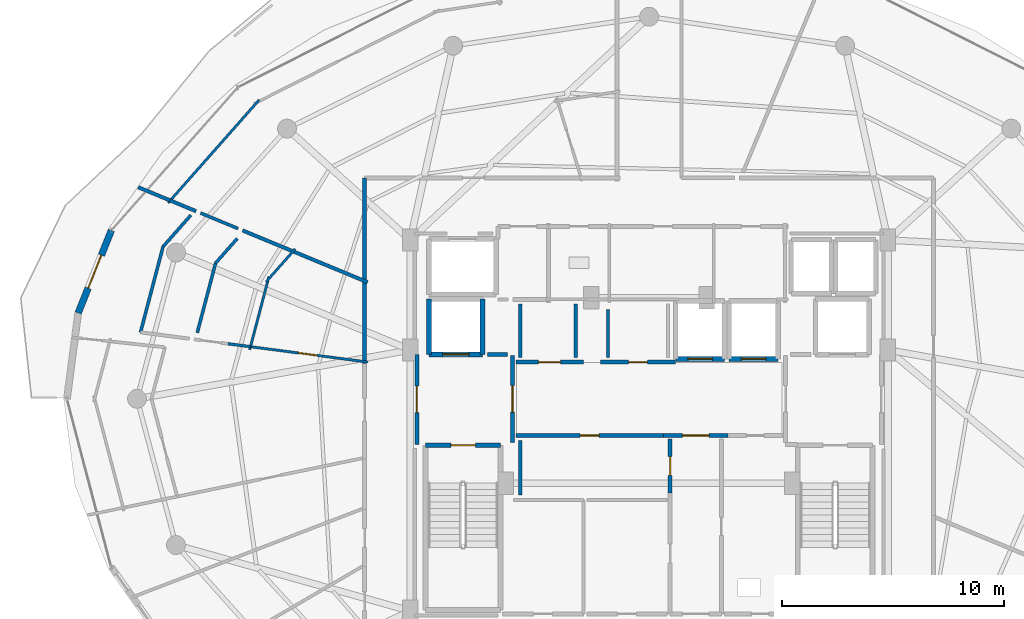
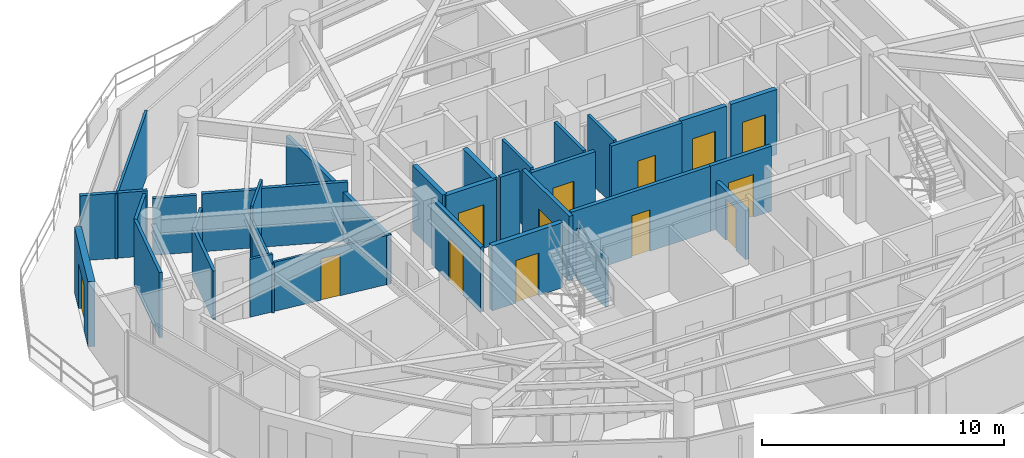
# One storey, part 23 of 30: 35 walls, 13 doors, 13 openings.
"""IFC4 building model written with IfcOpenShell, lengths in metres."""

from ifc_helpers import new_model, si_unit, direction, frame, frame_2d, origin, place, context, subcontext, project, spatial, rectangle, extrude, material, layer, layer_set, type_object, element, fill, save


model = new_model("IFC4")

# Units and contexts
model_context = context("Model", 3, precision=1e-05, world=origin(), true_north=direction((0.0, 1.0)))
body_context = subcontext(model_context, "Body", "Model", "MODEL_VIEW")
ifc_project = project(units=[si_unit("LENGTHUNIT", "METRE"), si_unit("AREAUNIT", "SQUARE_METRE"), si_unit("VOLUMEUNIT", "CUBIC_METRE"), si_unit("PLANEANGLEUNIT", "RADIAN"), si_unit("MASSUNIT", "GRAM", prefix="KILO")], contexts=[model_context])

# Site, building, storey
site_placement = place(None, origin())
site = spatial("IfcSite", under=ifc_project, at=site_placement, CompositionType="ELEMENT")
building_placement = place(site_placement, origin())
building = spatial("IfcBuilding", under=site, at=building_placement, Name="Vorneva Point Tower", CompositionType="ELEMENT")
storey_placement = place(building_placement, frame((0.0, 0.0, 234.25)))
storey = spatial("IfcBuildingStorey", under=building, at=storey_placement, Name="L63", CompositionType="ELEMENT", Elevation=234.25)

# Wall, opening, door
ifc_material_1 = material(Name="Concrete B60 (C50/60)", Category="concrete")
ifc_layer_1 = layer(ifc_material_1, 0.35009765625)
ifc_layer_set_1 = layer_set([ifc_layer_1], Name="Concrete B60 (C50/60)")
wall_type_1 = type_object("IfcWallType", Name="WL-CORE-350", PredefinedType="SHEAR", material=ifc_layer_set_1)
wall_1_placement = place(storey_placement, frame((28.10009765625, 28.0, 0.0), z_axis=(0.0, 0.0, 1.0), x_axis=(1.0, 0.0, 0.0)))
wall_1 = element("IfcWall", 1, at=wall_1_placement, inside=storey, type_object=wall_type_1, Name="L63 Lift FFL1 Shaft Wall -Y", PredefinedType="SHEAR", context=body_context, shape_type="SweptSolid", body=[
    extrude(rectangle(XDim=2.39990234375, YDim=0.219970703125, at=frame_2d((1.199951171875, 0.0))), origin(), (0.0, 0.0, 1.0), 3.2900390625),
])
opening_1_placement = place(wall_1_placement, frame((0.60009765625, 0.0, 0.0)))
opening_1 = element("IfcOpeningElement", 2, at=opening_1_placement, cuts=wall_1, Name="Opening LD-02", PredefinedType="OPENING", context=body_context, shape_type="SweptSolid", body=[
    extrude(rectangle(XDim=1.199951171875, YDim=2.199951171875, at=frame_2d((0.60009765625, 1.10009765625))), frame((0.0, 0.125, 0.0), z_axis=(0.0, -1.0, 0.0), x_axis=(1.0, 0.0, 0.0)), (0.0, 0.0, 1.0), 0.249755859375),
])
ifc_material_2 = material(Name="Brushed stainless steel S304", Category="steel")
door_type_1 = type_object("IfcDoorType", Name="LD-FIRE-1200", OperationType="SLIDING_TO_LEFT", PredefinedType="DOOR", material=ifc_material_2)
door_1_placement = place(opening_1_placement, origin())
door_1 = element("IfcDoor", 3, at=door_1_placement, inside=storey, type_object=door_type_1, Name="L63 Lift FFL1 Sliding Landing Door", OperationType="SLIDING_TO_LEFT", OverallHeight=2.199951171875, OverallWidth=1.199951171875, PredefinedType="DOOR", context=body_context, shape_type="SweptSolid", body=[
    extrude(rectangle(XDim=1.199951171875, YDim=2.199951171875, at=frame_2d((0.60009765625, 1.10009765625))), frame((0.0, 0.02490234375, 0.0), z_axis=(0.0, -1.0, 0.0), x_axis=(1.0, 0.0, 0.0)), (0.0, 0.0, 1.0), 0.050048828125),
])
fill(opening_1, door_1)

# Walls
for number, where, z_axis, x_axis, name in (
    (4, (30.5, 28.0, 0.0), (0.0, 0.0, 1.0), (0.0, 1.0, 0.0), "L63 Lift FFL1 Shaft Wall +X"),
    (5, (28.10009765625, 30.5, 0.0), (0.0, 0.0, 1.0), (0.0, -1.0, 0.0), "L63 Lift FFL1 Shaft Wall -X"),
):
    element("IfcWall", number, at=place(storey_placement, frame(where, z_axis=z_axis, x_axis=x_axis)), inside=storey, type_object=wall_type_1, Name=name, PredefinedType="SHEAR", context=body_context, shape_type="SweptSolid", body=[
        extrude(rectangle(XDim=2.5, YDim=0.219970703125, at=frame_2d((1.25, 0.0))), origin(), (0.0, 0.0, 1.0), 3.2900390625),
    ])

# Wall, opening, door
ifc_material_3 = material(Name="Precast concrete B50 (C40/50)", Category="concrete")
ifc_layer_2 = layer(ifc_material_3, 0.300048828125)
ifc_layer_set_2 = layer_set([ifc_layer_2], Name="Precast concrete B50 (C40/50)")
wall_type_2 = type_object("IfcWallType", Name="WL-EXT-300", PredefinedType="STANDARD", material=ifc_layer_set_2)
wall_2_placement = place(storey_placement, frame((13.79443359375, 33.5810546875, 0.0), z_axis=(0.0, 0.0, 1.0), x_axis=(-0.37234708598, -0.928093555393, 0.0)))
wall_2 = element("IfcWall", 6, at=wall_2_placement, inside=storey, type_object=wall_type_2, Name="L63 Pale-Metal Facade Spandrel Wall 08.1", PredefinedType="STANDARD", context=body_context, shape_type="SweptSolid", body=[
    extrude(rectangle(XDim=4.004150390625, YDim=0.300048828125, at=frame_2d((2.001953125, 0.0))), origin(), (0.0, 0.0, 1.0), 3.2900390625),
])
opening_2_placement = place(wall_2_placement, frame((1.2021484375, 0.0, 0.0)))
opening_2 = element("IfcOpeningElement", 7, at=opening_2_placement, cuts=wall_2, Name="Opening BD-01", PredefinedType="OPENING", context=body_context, shape_type="SweptSolid", body=[
    extrude(rectangle(XDim=1.60009765625, YDim=2.300048828125, at=frame_2d((0.800048828125, 1.14990234375))), frame((0.0, 0.1650390625, 0.0), z_axis=(0.0, -1.0, 0.0), x_axis=(1.0, 0.0, 0.0)), (0.0, 0.0, 1.0), 0.329833984375),
])
ifc_material_4 = material(Name="Pale anodised aluminium", Category="aluminium")
door_type_2 = type_object("IfcDoorType", Name="DR-BAL-1600", OperationType="SLIDING_TO_LEFT", PredefinedType="DOOR", material=ifc_material_4)
door_2_placement = place(opening_2_placement, origin())
door_2 = element("IfcDoor", 8, at=door_2_placement, inside=storey, type_object=door_type_2, Name="L63 Balcony Terrace Access Door 08", OperationType="SLIDING_TO_LEFT", OverallHeight=2.300048828125, OverallWidth=1.60009765625, PredefinedType="DOOR", context=body_context, shape_type="SweptSolid", body=[
    extrude(rectangle(XDim=1.60009765625, YDim=2.300048828125, at=frame_2d((0.800048828125, 1.14990234375))), frame((0.0, 0.02490234375, 0.0), z_axis=(0.0, -1.0, 0.0), x_axis=(1.0, 0.0, 0.0)), (0.0, 0.0, 1.0), 0.050048828125),
])
fill(opening_2, door_2)

# Wall
ifc_material_5 = material(Name="Fire-rated acoustic gypsum stud partition", Category="gypsum")
ifc_layer_3 = layer(ifc_material_5, 0.110107421875)
ifc_layer_set_3 = layer_set([ifc_layer_3], Name="Fire-rated acoustic gypsum stud partition")
wall_type_3 = type_object("IfcWallType", Name="WL-PART-110", PredefinedType="PARTITIONING", material=ifc_layer_set_3)
wall_3_placement = place(storey_placement, frame((20.443603515625, 39.451904296875, 0.0), z_axis=(0.0, 0.0, 1.0), x_axis=(-0.662167862663, -0.749355537549, 0.0)))
element("IfcWall", 9, at=wall_3_placement, inside=storey, type_object=wall_type_3, Name="L63 Interior Partition 060", PredefinedType="PARTITIONING", context=body_context, shape_type="SweptSolid", body=[
    extrude(rectangle(XDim=6.17724609375, YDim=0.110107421875, at=frame_2d((3.088623046875, 0.0))), origin(), (0.0, 0.0, 1.0), 3.2900390625),
])

# Wall, opening, door
wall_4_placement = place(storey_placement, frame((25.3388671875, 27.65576171875, 0.0), z_axis=(0.0, 0.0, 1.0), x_axis=(-0.991543288598, 0.129776372412, 0.0)))
wall_4 = element("IfcWall", 10, at=wall_4_placement, inside=storey, type_object=wall_type_3, Name="L63 Interior Partition 068", PredefinedType="PARTITIONING", context=body_context, shape_type="SweptSolid", body=[
    extrude(rectangle(XDim=5.466796875, YDim=0.110107421875, at=frame_2d((2.7333984375, 0.0))), origin(), (0.0, 0.0, 1.0), 2.48193359375),
])
opening_3_placement = place(wall_4_placement, frame((2.308349609375, 0.0, 0.0)))
opening_3 = element("IfcOpeningElement", 11, at=opening_3_placement, cuts=wall_4, Name="Opening ID-02", PredefinedType="OPENING", context=body_context, shape_type="SweptSolid", body=[
    extrude(rectangle(XDim=0.85009765625, YDim=2.10009765625, at=frame_2d((0.425048828125, 1.050048828125))), frame((0.0, 0.06982421875, 0.0), z_axis=(0.0, -1.0, 0.0), x_axis=(1.0, 0.0, 0.0)), (0.0, 0.0, 1.0), 0.139892578125),
])
ifc_material_6 = material(Name="Engineered oak fire-rated door leaf", Category="wood")
door_type_3 = type_object("IfcDoorType", Name="DR-BATH-850", OperationType="NOTDEFINED", PredefinedType="DOOR", material=ifc_material_6)
door_3_placement = place(opening_3_placement, origin())
door_3 = element("IfcDoor", 12, at=door_3_placement, inside=storey, type_object=door_type_3, Name="L63 Door Living and Dining Room L63-02 / Bathroom L63-02", OperationType="SINGLE_SWING_RIGHT", OverallHeight=2.10009765625, OverallWidth=0.85009765625, PredefinedType="DOOR", context=body_context, shape_type="SweptSolid", body=[
    extrude(rectangle(XDim=0.85009765625, YDim=2.10009765625, at=frame_2d((0.425048828125, 1.050048828125))), frame((0.0, 0.02490234375, 0.0), z_axis=(0.0, -1.0, 0.0), x_axis=(1.0, 0.0, 0.0)), (0.0, 0.0, 1.0), 0.050048828125),
])
fill(opening_3, door_3)

# Walls
wall_5_placement = place(storey_placement, frame((20.021484375, 28.211669921875, 0.0), z_axis=(0.0, 0.0, 1.0), x_axis=(0.254539154478, 0.967062468943, 0.0)))
element("IfcWall", 13, at=wall_5_placement, inside=storey, type_object=wall_type_3, Name="L63 Interior Partition 075", PredefinedType="PARTITIONING", context=body_context, shape_type="SweptSolid", body=[
    extrude(rectangle(XDim=3.406982421875, YDim=0.110107421875, at=frame_2d((1.70361328125, 0.0))), origin(), (0.0, 0.0, 1.0), 2.48193359375),
])
wall_6_placement = place(storey_placement, frame((20.76025390625, 31.26611328125, 0.0), z_axis=(0.0, 0.0, 1.0), x_axis=(0.662047420969, 0.749461948593, 0.0)))
element("IfcWall", 14, at=wall_6_placement, inside=storey, type_object=wall_type_3, Name="L63 Interior Partition 076", PredefinedType="PARTITIONING", context=body_context, shape_type="SweptSolid", body=[
    extrude(rectangle(XDim=1.9716796875, YDim=0.110107421875, at=frame_2d((0.98583984375, 0.0))), origin(), (0.0, 0.0, 1.0), 3.2900390625),
])
ifc_layer_4 = layer(ifc_material_5, 0.125)
ifc_layer_set_4 = layer_set([ifc_layer_4], Name="Fire-rated acoustic gypsum stud partition")
wall_type_4 = type_object("IfcWallType", Name="WL-PART-125", PredefinedType="PARTITIONING", material=ifc_layer_set_4)
wall_7_placement = place(storey_placement, frame((20.056884765625, 28.346923828125, 0.0), z_axis=(0.0, 0.0, 1.0), x_axis=(-0.99150495655, 0.130068909188, 0.0)))
element("IfcWall", 15, at=wall_7_placement, inside=storey, type_object=wall_type_4, Name="L63 Interior Partition 066", PredefinedType="PARTITIONING", context=body_context, shape_type="SweptSolid", body=[
    extrude(rectangle(XDim=1.015380859375, YDim=0.125, at=frame_2d((0.5078125, 0.0))), origin(), (0.0, 0.0, 1.0), 2.924072265625),
])
ifc_layer_5 = layer(ifc_material_5, 0.139892578125)
ifc_layer_set_5 = layer_set([ifc_layer_5], Name="Fire-rated acoustic gypsum stud partition")
wall_type_5 = type_object("IfcWallType", Name="WL-PART-140", PredefinedType="PARTITIONING", material=ifc_layer_set_5)
for number, where, z_axis, x_axis, name in (
    (16, (32.199951171875, 30.260009765625, 0.0), (0.0, 0.0, 1.0), (0.0, -1.0, 0.0), "L63 Interior Closure Partition 099"),
    (17, (34.699951171875, 27.8701171875, 0.0), (0.0, 0.0, 1.0), (0.0, 1.0, 0.0), "L63 Interior Closure Partition 100"),
):
    element("IfcWall", number, at=place(storey_placement, frame(where, z_axis=z_axis, x_axis=x_axis)), inside=storey, type_object=wall_type_5, Name=name, PredefinedType="PARTITIONING", context=body_context, shape_type="SweptSolid", body=[
        extrude(rectangle(XDim=2.389892578125, YDim=0.139892578125, at=frame_2d((1.19482421875, 0.0))), origin(), (0.0, 0.0, 1.0), 3.2900390625),
    ])
wall_8_placement = place(storey_placement, frame((36.14990234375, 30.030029296875, 0.0), z_axis=(0.0, 0.0, 1.0), x_axis=(0.0, -1.0, 0.0)))
element("IfcWall", 18, at=wall_8_placement, inside=storey, type_object=wall_type_5, Name="L63 Interior Closure Partition 101", PredefinedType="PARTITIONING", context=body_context, shape_type="SweptSolid", body=[
    extrude(rectangle(XDim=2.159912109375, YDim=0.139892578125, at=frame_2d((1.080078125, 0.0))), origin(), (0.0, 0.0, 1.0), 3.2900390625),
])
wall_9_placement = place(storey_placement, frame((32.199951171875, 24.1298828125, 0.0), z_axis=(0.0, 0.0, 1.0), x_axis=(0.0, -1.0, 0.0)))
element("IfcWall", 19, at=wall_9_placement, inside=storey, type_object=wall_type_5, Name="L63 Interior Closure Partition 103", PredefinedType="PARTITIONING", context=body_context, shape_type="SweptSolid", body=[
    extrude(rectangle(XDim=2.4599609375, YDim=0.139892578125, at=frame_2d((1.22998046875, 0.0))), origin(), (0.0, 0.0, 1.0), 2.48193359375),
])
wall_10_placement = place(storey_placement, frame((17.81005859375, 34.363037109375, 0.0), z_axis=(0.0, 0.0, 1.0), x_axis=(0.923888322618, -0.382662210481, 0.0)))
element("IfcWall", 20, at=wall_10_placement, inside=storey, type_object=wall_type_5, Name="L63 Interior Closure Partition 119", PredefinedType="PARTITIONING", context=body_context, shape_type="SweptSolid", body=[
    extrude(rectangle(XDim=1.8291015625, YDim=0.139892578125, at=frame_2d((0.91455078125, 0.0))), origin(), (0.0, 0.0, 1.0), 2.8740234375),
])
wall_11_placement = place(storey_placement, frame((15.10791015625, 28.993896484375, 0.0), z_axis=(0.0, 0.0, 1.0), x_axis=(0.254393917139, 0.967100684997, 0.0)))
element("IfcWall", 21, at=wall_11_placement, inside=storey, type_object=wall_type_5, Name="L63 Interior Closure Partition 121", PredefinedType="PARTITIONING", context=body_context, shape_type="SweptSolid", body=[
    extrude(rectangle(XDim=3.990478515625, YDim=0.139892578125, at=frame_2d((1.9951171875, 0.0))), origin(), (0.0, 0.0, 1.0), 3.2900390625),
])
wall_12_placement = place(storey_placement, frame((16.123046875, 32.85302734375, 0.0), z_axis=(0.0, 0.0, 1.0), x_axis=(0.662302679983, 0.749236384652, 0.0)))
element("IfcWall", 22, at=wall_12_placement, inside=storey, type_object=wall_type_5, Name="L63 Interior Closure Partition 122", PredefinedType="PARTITIONING", context=body_context, shape_type="SweptSolid", body=[
    extrude(rectangle(XDim=1.884521484375, YDim=0.139892578125, at=frame_2d((0.9423828125, 0.0))), origin(), (0.0, 0.0, 1.0), 3.2900390625),
])
wall_13_placement = place(storey_placement, frame((19.4619140625, 33.215087890625, 0.0), z_axis=(0.0, 0.0, 1.0), x_axis=(-0.661857573224, -0.749629610385, 0.0)))
element("IfcWall", 23, at=wall_13_placement, inside=storey, type_object=wall_type_5, Name="L63 Interior Closure Partition 123", PredefinedType="PARTITIONING", context=body_context, shape_type="SweptSolid", body=[
    extrude(rectangle(XDim=1.471435546875, YDim=0.139892578125, at=frame_2d((0.73583984375, 0.0))), origin(), (0.0, 0.0, 1.0), 2.48193359375),
])
wall_14_placement = place(storey_placement, frame((18.488037109375, 32.112060546875, 0.0), z_axis=(0.0, 0.0, 1.0), x_axis=(-0.254626828673, -0.967039388091, 0.0)))
element("IfcWall", 24, at=wall_14_placement, inside=storey, type_object=wall_type_5, Name="L63 Interior Closure Partition 124", PredefinedType="PARTITIONING", context=body_context, shape_type="SweptSolid", body=[
    extrude(rectangle(XDim=3.23974609375, YDim=0.139892578125, at=frame_2d((1.619873046875, 0.0))), origin(), (0.0, 0.0, 1.0), 2.48193359375),
])
ifc_layer_6 = layer(ifc_material_5, 0.159912109375)
ifc_layer_set_6 = layer_set([ifc_layer_6], Name="Fire-rated acoustic gypsum stud partition")
wall_type_6 = type_object("IfcWallType", Name="WL-PART-160", PredefinedType="PARTITIONING", material=ifc_layer_set_6)
wall_15_placement = place(storey_placement, frame((16.446044921875, 34.927978515625, 0.0), z_axis=(0.0, 0.0, 1.0), x_axis=(0.923851056351, -0.382752172663, 0.0)))
element("IfcWall", 25, at=wall_15_placement, inside=storey, type_object=wall_type_6, Name="L63 Interior Partition 062", PredefinedType="PARTITIONING", context=body_context, shape_type="SweptSolid", body=[
    extrude(rectangle(XDim=1.256591796875, YDim=0.159912109375, at=frame_2d((0.62841796875, 0.0))), origin(), (0.0, 0.0, 1.0), 3.2900390625),
])
wall_16_placement = place(storey_placement, frame((19.702880859375, 33.5791015625, 0.0), z_axis=(0.0, 0.0, 1.0), x_axis=(0.923878502515, -0.382685918986, 0.0)))
element("IfcWall", 26, at=wall_16_placement, inside=storey, type_object=wall_type_6, Name="L63 Interior Partition 063", PredefinedType="PARTITIONING", context=body_context, shape_type="SweptSolid", body=[
    extrude(rectangle(XDim=2.516845703125, YDim=0.159912109375, at=frame_2d((1.25830078125, 0.0))), origin(), (0.0, 0.0, 1.0), 2.924072265625),
])
wall_17_placement = place(storey_placement, frame((21.898681640625, 32.66943359375, 0.0), z_axis=(0.0, 0.0, 1.0), x_axis=(0.9238685833, -0.382709865029, 0.0)))
element("IfcWall", 27, at=wall_17_placement, inside=storey, type_object=wall_type_6, Name="L63 Interior Partition 064", PredefinedType="PARTITIONING", context=body_context, shape_type="SweptSolid", body=[
    extrude(rectangle(XDim=3.71337890625, YDim=0.159912109375, at=frame_2d((1.856689453125, 0.0))), origin(), (0.0, 0.0, 1.0), 2.971923828125),
])
wall_18_placement = place(storey_placement, frame((15.003662109375, 35.525634765625, 0.0), z_axis=(0.0, 0.0, 1.0), x_axis=(0.923843638485, -0.382770076719, 0.0)))
element("IfcWall", 28, at=wall_18_placement, inside=storey, type_object=wall_type_6, Name="L63 Interior Partition 065", PredefinedType="PARTITIONING", context=body_context, shape_type="SweptSolid", body=[
    extrude(rectangle(XDim=1.701171875, YDim=0.159912109375, at=frame_2d((0.8505859375, 0.0))), origin(), (0.0, 0.0, 1.0), 3.2900390625),
])

# Wall, opening, door
ifc_material_7 = material(Name="Autoclaved aerated concrete blockwork", Category="masonry")
ifc_layer_7 = layer(ifc_material_7, 0.179931640625)
ifc_layer_set_7 = layer_set([ifc_layer_7], Name="Autoclaved aerated concrete blockwork")
wall_type_7 = type_object("IfcWallType", Name="WL-PART-180", PredefinedType="PARTITIONING", material=ifc_layer_set_7)
wall_19_placement = place(storey_placement, frame((31.85009765625, 24.044921875, 0.0), z_axis=(0.0, 0.0, 1.0), x_axis=(0.0, 1.0, 0.0)))
wall_19 = element("IfcWall", 29, at=wall_19_placement, inside=storey, type_object=wall_type_7, Name="L63 Interior Partition 001", PredefinedType="PARTITIONING", context=body_context, shape_type="SweptSolid", body=[
    extrude(rectangle(XDim=3.91015625, YDim=0.179931640625, at=frame_2d((1.955078125, 0.0))), origin(), (0.0, 0.0, 1.0), 3.2900390625),
])
opening_4_placement = place(wall_19_placement, frame((1.35498046875, 0.0, 0.0)))
opening_4 = element("IfcOpeningElement", 30, at=opening_4_placement, cuts=wall_19, Name="Opening FD-02", PredefinedType="OPENING", context=body_context, shape_type="SweptSolid", body=[
    extrude(rectangle(XDim=1.199951171875, YDim=2.14990234375, at=frame_2d((0.60009765625, 1.074951171875))), frame((0.0, 0.10498046875, 0.0), z_axis=(0.0, -1.0, 0.0), x_axis=(1.0, 0.0, 0.0)), (0.0, 0.0, 1.0), 0.209716796875),
])
ifc_material_8 = material(Name="Fire-rated powder-coated steel", Category="steel")
door_type_4 = type_object("IfcDoorType", Name="DR-FFL-1200", OperationType="NOTDEFINED", PredefinedType="DOOR", material=ifc_material_8)
door_4_placement = place(opening_4_placement, origin())
door_4 = element("IfcDoor", 31, at=door_4_placement, inside=storey, type_object=door_type_4, Name="L63 Door West Firefighting Lobby / Central Lift Lobby", OperationType="SINGLE_SWING_LEFT", OverallHeight=2.14990234375, OverallWidth=1.199951171875, PredefinedType="DOOR", context=body_context, shape_type="SweptSolid", body=[
    extrude(rectangle(XDim=1.199951171875, YDim=2.14990234375, at=frame_2d((0.60009765625, 1.074951171875))), frame((0.0, 0.02490234375, 0.0), z_axis=(0.0, -1.0, 0.0), x_axis=(1.0, 0.0, 0.0)), (0.0, 0.0, 1.0), 0.050048828125),
])
fill(opening_4, door_4)

wall_20_placement = place(storey_placement, frame((27.550048828125, 28.0, 0.0), z_axis=(0.0, 0.0, 1.0), x_axis=(0.0, -1.0, 0.0)))
wall_20 = element("IfcWall", 32, at=wall_20_placement, inside=storey, type_object=wall_type_7, Name="L63 Interior Partition 002", PredefinedType="PARTITIONING", context=body_context, shape_type="SweptSolid", body=[
    extrude(rectangle(XDim=4.050048828125, YDim=0.179931640625, at=frame_2d((2.02490234375, 0.0))), origin(), (0.0, 0.0, 1.0), 3.2900390625),
])
opening_5_placement = place(wall_20_placement, frame((1.425048828125, 0.0, 0.0)))
opening_5 = element("IfcOpeningElement", 33, at=opening_5_placement, cuts=wall_20, Name="Opening FD-02", PredefinedType="OPENING", context=body_context, shape_type="SweptSolid", body=[
    extrude(rectangle(XDim=1.199951171875, YDim=2.14990234375, at=frame_2d((0.60009765625, 1.074951171875))), frame((0.0, 0.10498046875, 0.0), z_axis=(0.0, -1.0, 0.0), x_axis=(1.0, 0.0, 0.0)), (0.0, 0.0, 1.0), 0.209716796875),
])
door_5_placement = place(opening_5_placement, origin())
door_5 = element("IfcDoor", 34, at=door_5_placement, inside=storey, type_object=door_type_4, Name="L63 Door West Firefighting Lobby / L63 Circulation Corridor", OperationType="SINGLE_SWING_RIGHT", OverallHeight=2.14990234375, OverallWidth=1.199951171875, PredefinedType="DOOR", context=body_context, shape_type="SweptSolid", body=[
    extrude(rectangle(XDim=1.199951171875, YDim=2.14990234375, at=frame_2d((0.60009765625, 1.074951171875))), frame((0.0, 0.02490234375, 0.0), z_axis=(0.0, -1.0, 0.0), x_axis=(1.0, 0.0, 0.0)), (0.0, 0.0, 1.0), 0.050048828125),
])
fill(opening_5, door_5)

wall_21_placement = place(storey_placement, frame((38.64501953125, 24.35009765625, 0.0), z_axis=(0.0, 0.0, 1.0), x_axis=(1.0, 0.0, 0.0)))
wall_21 = element("IfcWall", 35, at=wall_21_placement, inside=storey, type_object=wall_type_7, Name="L63 Interior Partition 010", PredefinedType="PARTITIONING", context=body_context, shape_type="SweptSolid", body=[
    extrude(rectangle(XDim=2.909912109375, YDim=0.179931640625, at=frame_2d((1.455078125, 0.0))), origin(), (0.0, 0.0, 1.0), 3.2900390625),
])
opening_6_placement = place(wall_21_placement, frame((0.85498046875, 0.0, 0.0)))
opening_6 = element("IfcOpeningElement", 36, at=opening_6_placement, cuts=wall_21, Name="Opening FD-02", PredefinedType="OPENING", context=body_context, shape_type="SweptSolid", body=[
    extrude(rectangle(XDim=1.199951171875, YDim=2.14990234375, at=frame_2d((0.60009765625, 1.074951171875))), frame((0.0, 0.10498046875, 0.0), z_axis=(0.0, -1.0, 0.0), x_axis=(1.0, 0.0, 0.0)), (0.0, 0.0, 1.0), 0.209716796875),
])
door_6_placement = place(opening_6_placement, origin())
door_6 = element("IfcDoor", 37, at=door_6_placement, inside=storey, type_object=door_type_4, Name="L63 Door Central Lift Lobby / Core Service Lobby", OperationType="SINGLE_SWING_RIGHT", OverallHeight=2.14990234375, OverallWidth=1.199951171875, PredefinedType="DOOR", context=body_context, shape_type="SweptSolid", body=[
    extrude(rectangle(XDim=1.199951171875, YDim=2.14990234375, at=frame_2d((0.60009765625, 1.074951171875))), frame((0.0, 0.02490234375, 0.0), z_axis=(0.0, -1.0, 0.0), x_axis=(1.0, 0.0, 0.0)), (0.0, 0.0, 1.0), 0.050048828125),
])
fill(opening_6, door_6)

wall_22_placement = place(storey_placement, frame((35.0400390625, 27.64990234375, 0.0), z_axis=(0.0, 0.0, 1.0), x_axis=(-1.0, 0.0, 0.0)))
wall_22 = element("IfcWall", 38, at=wall_22_placement, inside=storey, type_object=wall_type_7, Name="L63 Interior Partition 012", PredefinedType="PARTITIONING", context=body_context, shape_type="SweptSolid", body=[
    extrude(rectangle(XDim=3.0400390625, YDim=0.179931640625, at=frame_2d((1.52001953125, 0.0))), origin(), (0.0, 0.0, 1.0), 3.2900390625),
])
opening_7_placement = place(wall_22_placement, frame((1.02001953125, 0.0, 0.0)))
opening_7 = element("IfcOpeningElement", 39, at=opening_7_placement, cuts=wall_22, Name="Opening UD-01", PredefinedType="OPENING", context=body_context, shape_type="SweptSolid", body=[
    extrude(rectangle(XDim=1.0, YDim=2.14990234375, at=frame_2d((0.5, 1.074951171875))), frame((0.0, 0.10498046875, 0.0), z_axis=(0.0, -1.0, 0.0), x_axis=(1.0, 0.0, 0.0)), (0.0, 0.0, 1.0), 0.209716796875),
])
door_type_5 = type_object("IfcDoorType", Name="DR-UNIT-1000", OperationType="NOTDEFINED", PredefinedType="DOOR", material=ifc_material_6)
door_7_placement = place(opening_7_placement, origin())
door_7 = element("IfcDoor", 40, at=door_7_placement, inside=storey, type_object=door_type_5, Name="L63 Door Central Lift Lobby / Reclaimed Core Lounge", OperationType="SINGLE_SWING_RIGHT", OverallHeight=2.14990234375, OverallWidth=1.0, PredefinedType="DOOR", context=body_context, shape_type="SweptSolid", body=[
    extrude(rectangle(XDim=1.0, YDim=2.14990234375, at=frame_2d((0.5, 1.074951171875))), frame((0.0, 0.02490234375, 0.0), z_axis=(0.0, -1.0, 0.0), x_axis=(1.0, 0.0, 0.0)), (0.0, 0.0, 1.0), 0.050048828125),
])
fill(opening_7, door_7)

wall_23_placement = place(storey_placement, frame((39.18994140625, 27.64990234375, 0.0), z_axis=(0.0, 0.0, 1.0), x_axis=(-1.0, 0.0, 0.0)))
wall_23 = element("IfcWall", 41, at=wall_23_placement, inside=storey, type_object=wall_type_7, Name="L63 Interior Partition 013", PredefinedType="PARTITIONING", context=body_context, shape_type="SweptSolid", body=[
    extrude(rectangle(XDim=3.3798828125, YDim=0.179931640625, at=frame_2d((1.68994140625, 0.0))), origin(), (0.0, 0.0, 1.0), 3.2900390625),
])
opening_8_placement = place(wall_23_placement, frame((1.264892578125, 0.0, 0.0)))
opening_8 = element("IfcOpeningElement", 42, at=opening_8_placement, cuts=wall_23, Name="Opening ID-02", PredefinedType="OPENING", context=body_context, shape_type="SweptSolid", body=[
    extrude(rectangle(XDim=0.85009765625, YDim=2.10009765625, at=frame_2d((0.425048828125, 1.050048828125))), frame((0.0, 0.10498046875, 0.0), z_axis=(0.0, -1.0, 0.0), x_axis=(1.0, 0.0, 0.0)), (0.0, 0.0, 1.0), 0.209716796875),
])
door_8_placement = place(opening_8_placement, origin())
door_8 = element("IfcDoor", 43, at=door_8_placement, inside=storey, type_object=door_type_3, Name="L63 Door Central Lift Lobby / Reclaimed Core Archive Store", OperationType="SINGLE_SWING_LEFT", OverallHeight=2.10009765625, OverallWidth=0.85009765625, PredefinedType="DOOR", context=body_context, shape_type="SweptSolid", body=[
    extrude(rectangle(XDim=0.85009765625, YDim=2.10009765625, at=frame_2d((0.425048828125, 1.050048828125))), frame((0.0, 0.02490234375, 0.0), z_axis=(0.0, -1.0, 0.0), x_axis=(1.0, 0.0, 0.0)), (0.0, 0.0, 1.0), 0.050048828125),
])
fill(opening_8, door_8)

wall_24_placement = place(storey_placement, frame((32.0, 24.35009765625, 0.0), z_axis=(0.0, 0.0, 1.0), x_axis=(1.0, 0.0, 0.0)))
wall_24 = element("IfcWall", 44, at=wall_24_placement, inside=storey, type_object=wall_type_7, Name="L63 Interior Partition 014", PredefinedType="PARTITIONING", context=body_context, shape_type="SweptSolid", body=[
    extrude(rectangle(XDim=6.64501953125, YDim=0.179931640625, at=frame_2d((3.322509765625, 0.0))), origin(), (0.0, 0.0, 1.0), 3.2900390625),
])
opening_9_placement = place(wall_24_placement, frame((2.8974609375, 0.0, 0.0)))
opening_9 = element("IfcOpeningElement", 45, at=opening_9_placement, cuts=wall_24, Name="Opening ID-02", PredefinedType="OPENING", context=body_context, shape_type="SweptSolid", body=[
    extrude(rectangle(XDim=0.85009765625, YDim=2.10009765625, at=frame_2d((0.425048828125, 1.050048828125))), frame((0.0, 0.10498046875, 0.0), z_axis=(0.0, -1.0, 0.0), x_axis=(1.0, 0.0, 0.0)), (0.0, 0.0, 1.0), 0.209716796875),
])
door_9_placement = place(opening_9_placement, origin())
door_9 = element("IfcDoor", 46, at=door_9_placement, inside=storey, type_object=door_type_3, Name="L63 Door Central Lift Lobby / Reclaimed High-Zone Wine Vault", OperationType="SINGLE_SWING_RIGHT", OverallHeight=2.10009765625, OverallWidth=0.85009765625, PredefinedType="DOOR", context=body_context, shape_type="SweptSolid", body=[
    extrude(rectangle(XDim=0.85009765625, YDim=2.10009765625, at=frame_2d((0.425048828125, 1.050048828125))), frame((0.0, 0.02490234375, 0.0), z_axis=(0.0, -1.0, 0.0), x_axis=(1.0, 0.0, 0.0)), (0.0, 0.0, 1.0), 0.050048828125),
])
fill(opening_9, door_9)

wall_25_placement = place(storey_placement, frame((38.949951171875, 24.199951171875, 0.0), z_axis=(0.0, 0.0, 1.0), x_axis=(0.0, -1.0, 0.0)))
wall_25 = element("IfcWall", 47, at=wall_25_placement, inside=storey, type_object=wall_type_7, Name="L63 Interior Partition 017", PredefinedType="PARTITIONING", context=body_context, shape_type="SweptSolid", body=[
    extrude(rectangle(XDim=2.445068359375, YDim=0.179931640625, at=frame_2d((1.22265625, 0.0))), origin(), (0.0, 0.0, 1.0), 2.48193359375),
])
opening_10_placement = place(wall_25_placement, frame((0.797607421875, 0.0, 0.0)))
opening_10 = element("IfcOpeningElement", 48, at=opening_10_placement, cuts=wall_25, Name="Opening ID-02", PredefinedType="OPENING", context=body_context, shape_type="SweptSolid", body=[
    extrude(rectangle(XDim=0.85009765625, YDim=2.10009765625, at=frame_2d((0.425048828125, 1.050048828125))), frame((0.0, 0.10498046875, 0.0), z_axis=(0.0, -1.0, 0.0), x_axis=(1.0, 0.0, 0.0)), (0.0, 0.0, 1.0), 0.209716796875),
])
door_10_placement = place(opening_10_placement, origin())
door_10 = element("IfcDoor", 49, at=door_10_placement, inside=storey, type_object=door_type_3, Name="L63 Door Core Service Lobby / Reclaimed High-Zone Wine Vault", OperationType="SINGLE_SWING_LEFT", OverallHeight=2.10009765625, OverallWidth=0.85009765625, PredefinedType="DOOR", context=body_context, shape_type="SweptSolid", body=[
    extrude(rectangle(XDim=0.85009765625, YDim=2.10009765625, at=frame_2d((0.425048828125, 1.050048828125))), frame((0.0, 0.02490234375, 0.0), z_axis=(0.0, -1.0, 0.0), x_axis=(1.0, 0.0, 0.0)), (0.0, 0.0, 1.0), 0.050048828125),
])
fill(opening_10, door_10)

# Walls
wall_26_placement = place(storey_placement, frame((25.199951171875, 35.949951171875, 0.0), z_axis=(0.0, 0.0, 1.0), x_axis=(0.0, -1.0, 0.0)))
element("IfcWall", 50, at=wall_26_placement, inside=storey, type_object=wall_type_7, Name="L63 Interior Partition 036", PredefinedType="PARTITIONING", context=body_context, shape_type="SweptSolid", body=[
    extrude(rectangle(XDim=4.7080078125, YDim=0.179931640625, at=frame_2d((2.35400390625, 0.0))), origin(), (0.0, 0.0, 1.0), 2.48193359375),
])
wall_27_placement = place(storey_placement, frame((25.199951171875, 31.382080078125, 0.0), z_axis=(0.0, 0.0, 1.0), x_axis=(0.0, -1.0, 0.0)))
element("IfcWall", 51, at=wall_27_placement, inside=storey, type_object=wall_type_7, Name="L63 Interior Partition 040", PredefinedType="PARTITIONING", context=body_context, shape_type="SweptSolid", body=[
    extrude(rectangle(XDim=3.787109375, YDim=0.179931640625, at=frame_2d((1.8935546875, 0.0))), origin(), (0.0, 0.0, 1.0), 2.48193359375),
])
wall_28_placement = place(storey_placement, frame((31.635009765625, 28.0, 0.0), z_axis=(0.0, 0.0, 1.0), x_axis=(-1.0, 0.0, 0.0)))
element("IfcWall", 52, at=wall_28_placement, inside=storey, type_object=wall_type_7, Name="L63 Interior Closure Partition 093", PredefinedType="PARTITIONING", context=body_context, shape_type="SweptSolid", body=[
    extrude(rectangle(XDim=0.9150390625, YDim=0.179931640625, at=frame_2d((0.45751953125, 0.0))), origin(), (0.0, 0.0, 1.0), 3.2900390625),
])

# Wall, opening, door
ifc_material_9 = material(Name="Concrete B50 (C40/50)", Category="concrete")
ifc_layer_8 = layer(ifc_material_9, 0.219970703125)
ifc_layer_set_8 = layer_set([ifc_layer_8], Name="Concrete B50 (C40/50)")
wall_type_8 = type_object("IfcWallType", Name="WL-SHFT-220", PredefinedType="SOLIDWALL", material=ifc_layer_set_8)
wall_29_placement = place(storey_placement, frame((27.93994140625, 23.909912109375, 0.0), z_axis=(0.0, 0.0, 1.0), x_axis=(1.0, 0.0, 0.0)))
wall_29 = element("IfcWall", 53, at=wall_29_placement, inside=storey, type_object=wall_type_8, Name="L63 Exit Stair ST1 Shaft Wall near", PredefinedType="SOLIDWALL", context=body_context, shape_type="SweptSolid", body=[
    extrude(rectangle(XDim=3.3701171875, YDim=0.219970703125, at=frame_2d((1.68505859375, 0.0))), origin(), (0.0, 0.0, 1.0), 3.2900390625),
])
opening_11_placement = place(wall_29_placement, frame((1.135009765625, 0.0, 0.0)))
opening_11 = element("IfcOpeningElement", 54, at=opening_11_placement, cuts=wall_29, Name="Opening FD-01", PredefinedType="OPENING", context=body_context, shape_type="SweptSolid", body=[
    extrude(rectangle(XDim=1.10009765625, YDim=2.14990234375, at=frame_2d((0.550048828125, 1.074951171875))), frame((0.0, 0.125, 0.0), z_axis=(0.0, -1.0, 0.0), x_axis=(1.0, 0.0, 0.0)), (0.0, 0.0, 1.0), 0.249755859375),
])
door_type_6 = type_object("IfcDoorType", Name="DR-STAIR-1100", OperationType="NOTDEFINED", PredefinedType="DOOR", material=ifc_material_8)
door_11_placement = place(opening_11_placement, origin())
door_11 = element("IfcDoor", 55, at=door_11_placement, inside=storey, type_object=door_type_6, Name="L63 Exit Stair ST1 Fire Door", OperationType="SINGLE_SWING_LEFT", OverallHeight=2.14990234375, OverallWidth=1.10009765625, PredefinedType="DOOR", context=body_context, shape_type="SweptSolid", body=[
    extrude(rectangle(XDim=1.10009765625, YDim=2.14990234375, at=frame_2d((0.550048828125, 1.074951171875))), frame((0.0, 0.02490234375, 0.0), z_axis=(0.0, -1.0, 0.0), x_axis=(1.0, 0.0, 0.0)), (0.0, 0.0, 1.0), 0.050048828125),
])
fill(opening_11, door_11)

wall_30_placement = place(storey_placement, frame((39.199951171875, 27.800048828125, 0.0), z_axis=(0.0, 0.0, 1.0), x_axis=(1.0, 0.0, 0.0)))
wall_30 = element("IfcWall", 56, at=wall_30_placement, inside=storey, type_object=wall_type_8, Name="L63 Lift PL7 Shaft Wall -Y", PredefinedType="SOLIDWALL", context=body_context, shape_type="SweptSolid", body=[
    extrude(rectangle(XDim=2.199951171875, YDim=0.219970703125, at=frame_2d((1.10009765625, 0.0))), origin(), (0.0, 0.0, 1.0), 3.2900390625),
])
opening_12_placement = place(wall_30_placement, frame((0.550048828125, 0.0, 0.0)))
opening_12 = element("IfcOpeningElement", 57, at=opening_12_placement, cuts=wall_30, Name="Opening LD-01", PredefinedType="OPENING", context=body_context, shape_type="SweptSolid", body=[
    extrude(rectangle(XDim=1.10009765625, YDim=2.199951171875, at=frame_2d((0.550048828125, 1.10009765625))), frame((0.0, 0.125, 0.0), z_axis=(0.0, -1.0, 0.0), x_axis=(1.0, 0.0, 0.0)), (0.0, 0.0, 1.0), 0.249755859375),
])
door_type_7 = type_object("IfcDoorType", Name="LD-PASS-1100", OperationType="SLIDING_TO_LEFT", PredefinedType="DOOR", material=ifc_material_2)
door_12_placement = place(opening_12_placement, origin())
door_12 = element("IfcDoor", 58, at=door_12_placement, inside=storey, type_object=door_type_7, Name="L63 Lift PL7 Sliding Landing Door", OperationType="SLIDING_TO_LEFT", OverallHeight=2.199951171875, OverallWidth=1.10009765625, PredefinedType="DOOR", context=body_context, shape_type="SweptSolid", body=[
    extrude(rectangle(XDim=1.10009765625, YDim=2.199951171875, at=frame_2d((0.550048828125, 1.10009765625))), frame((0.0, 0.02490234375, 0.0), z_axis=(0.0, -1.0, 0.0), x_axis=(1.0, 0.0, 0.0)), (0.0, 0.0, 1.0), 0.050048828125),
])
fill(opening_12, door_12)

wall_31_placement = place(storey_placement, frame((41.60009765625, 27.800048828125, 0.0), z_axis=(0.0, 0.0, 1.0), x_axis=(1.0, 0.0, 0.0)))
wall_31 = element("IfcWall", 59, at=wall_31_placement, inside=storey, type_object=wall_type_8, Name="L63 Lift PL8 Shaft Wall -Y", PredefinedType="SOLIDWALL", context=body_context, shape_type="SweptSolid", body=[
    extrude(rectangle(XDim=2.199951171875, YDim=0.219970703125, at=frame_2d((1.10009765625, 0.0))), origin(), (0.0, 0.0, 1.0), 3.2900390625),
])
opening_13_placement = place(wall_31_placement, frame((0.550048828125, 0.0, 0.0)))
opening_13 = element("IfcOpeningElement", 60, at=opening_13_placement, cuts=wall_31, Name="Opening LD-01", PredefinedType="OPENING", context=body_context, shape_type="SweptSolid", body=[
    extrude(rectangle(XDim=1.10009765625, YDim=2.199951171875, at=frame_2d((0.550048828125, 1.10009765625))), frame((0.0, 0.125, 0.0), z_axis=(0.0, -1.0, 0.0), x_axis=(1.0, 0.0, 0.0)), (0.0, 0.0, 1.0), 0.249755859375),
])
door_13_placement = place(opening_13_placement, origin())
door_13 = element("IfcDoor", 61, at=door_13_placement, inside=storey, type_object=door_type_7, Name="L63 Lift PL8 Sliding Landing Door", OperationType="SLIDING_TO_LEFT", OverallHeight=2.199951171875, OverallWidth=1.10009765625, PredefinedType="DOOR", context=body_context, shape_type="SweptSolid", body=[
    extrude(rectangle(XDim=1.10009765625, YDim=2.199951171875, at=frame_2d((0.550048828125, 1.10009765625))), frame((0.0, 0.02490234375, 0.0), z_axis=(0.0, -1.0, 0.0), x_axis=(1.0, 0.0, 0.0)), (0.0, 0.0, 1.0), 0.050048828125),
])
fill(opening_13, door_13)

save(model, "model.ifc")
